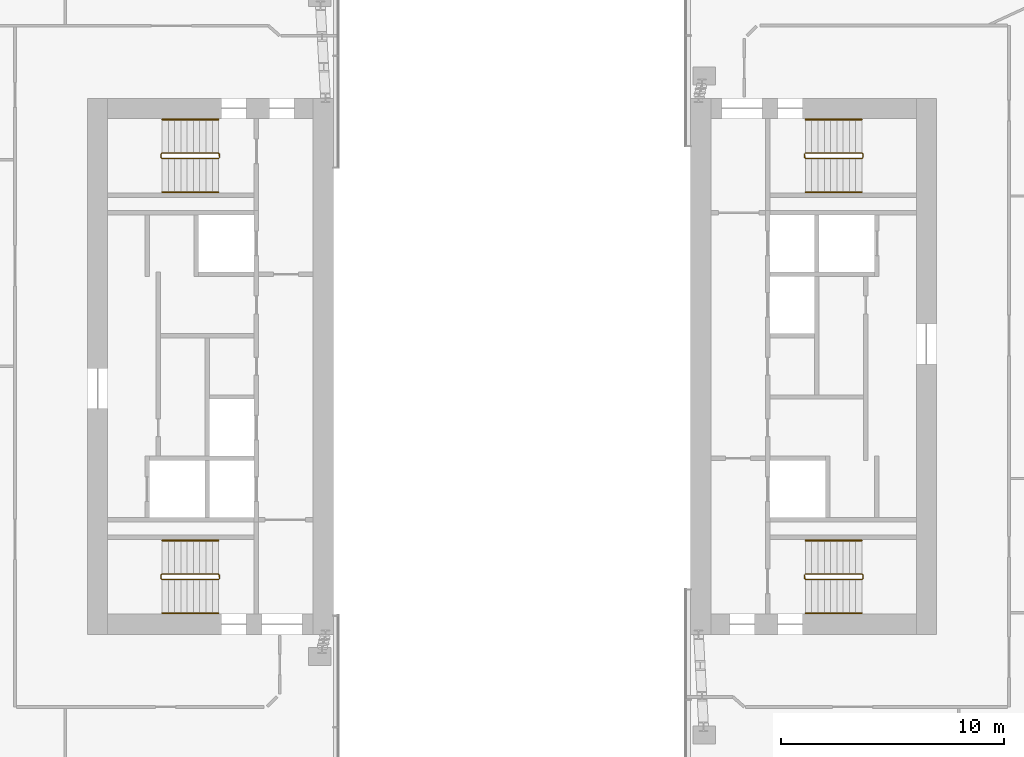
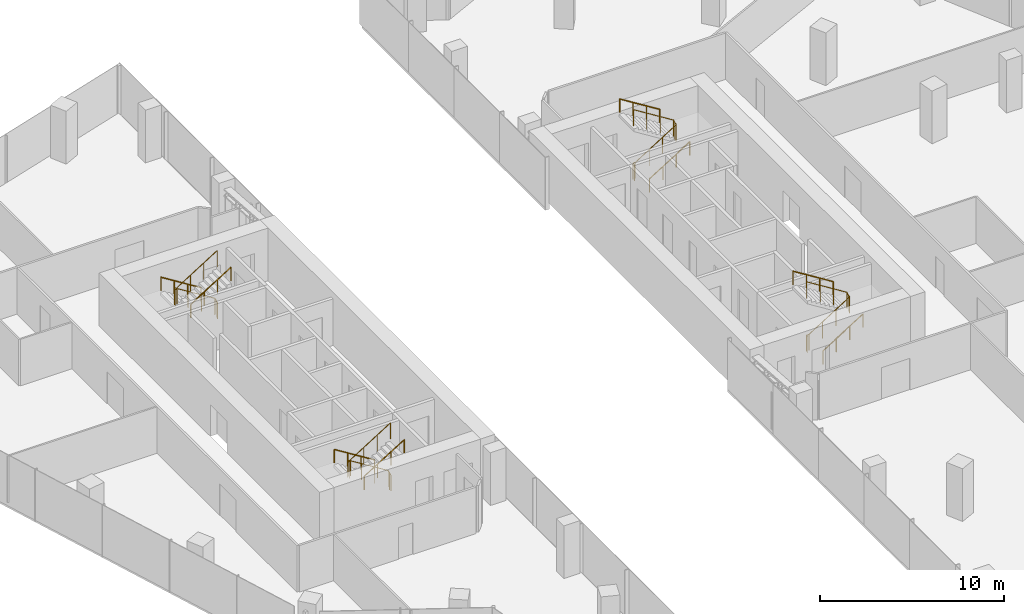
# One storey, part 22 of 23: 12 railings.
"""IFC4 building model written with IfcOpenShell, lengths in metres."""

from ifc_helpers import new_model, si_unit, direction, frame, origin, origin_2d, place, context, subcontext, project, spatial, circle, extrude, material, type_object, element, save


model = new_model("IFC4")

# Units and contexts
model_context = context("Model", 3, precision=1e-05, world=origin(), true_north=direction((0.0, 1.0)))
body_context = subcontext(model_context, "Body", "Model", "MODEL_VIEW")
ifc_project = project(units=[si_unit("LENGTHUNIT", "METRE"), si_unit("AREAUNIT", "SQUARE_METRE"), si_unit("VOLUMEUNIT", "CUBIC_METRE"), si_unit("PLANEANGLEUNIT", "RADIAN"), si_unit("MASSUNIT", "GRAM", prefix="KILO")], contexts=[model_context])

# Site, building, storey
site_placement = place(None, origin())
site = spatial("IfcSite", under=ifc_project, at=site_placement, CompositionType="ELEMENT")
building_placement = place(site_placement, origin())
building = spatial("IfcBuilding", under=site, at=building_placement, Name="Orlundy Tower", CompositionType="ELEMENT")
storey_placement = place(building_placement, frame((0.0, 0.0, 260.5)))
storey = spatial("IfcBuildingStorey", under=building, at=storey_placement, Name="L69", CompositionType="ELEMENT", Elevation=260.5)

# Railings
ifc_material_1 = material(Name="Steel balustrade", Category="steel")
railing_type_1 = type_object("IfcRailingType", Name="Stair Guard 1100", PredefinedType="GUARDRAIL", material=ifc_material_1)
railing_1_placement = place(storey_placement, frame((-13.090087890625, 9.5, 0.0)))
element("IfcRailing", 1, at=railing_1_placement, inside=storey, type_object=railing_type_1, Name="L69 ST-W1 stair guard 1", PredefinedType="GUARDRAIL", context=body_context, shape_type="SweptSolid", body=[
    extrude(circle(Radius=0.02392578125, at=origin_2d()), frame((0.0, 0.0, 1.076171875), z_axis=(0.0, -1.0, 0.0), x_axis=(1.0, 0.0, 0.0)), (0.0, 0.0, 1.0), 0.14990234375),
    extrude(circle(Radius=0.02392578125, at=origin_2d()), frame((0.0, -0.14990234375, 1.076171875), z_axis=(-0.18420542264, 0.739530593833, 0.647427882513), x_axis=(-0.970351222016, -0.241699205484, 0.0)), (0.0, 0.0, 1.0), 0.270263671875),
    extrude(circle(Radius=0.02392578125, at=origin_2d()), frame((-0.0498046875, 0.050048828125, 1.2509765625), z_axis=(-0.848007534815, 0.0, 0.529984170421), x_axis=(0.0, -1.0, 0.0)), (0.0, 0.0, 1.0), 2.9716796875),
    extrude(circle(Radius=0.02392578125, at=origin_2d()), frame((-2.56982421875, 0.050048828125, 2.826171875), z_axis=(-0.707106781187, -0.707106781187, 0.0), x_axis=(0.707106781187, -0.707106781187, 0.0)), (0.0, 0.0, 1.0), 0.07080078125),
    extrude(circle(Radius=0.02392578125, at=origin_2d()), frame((-2.619873046875, 0.0, 2.826171875), z_axis=(0.0, -1.0, 0.0), x_axis=(1.0, 0.0, 0.0)), (0.0, 0.0, 1.0), 0.14990234375),
    extrude(circle(Radius=0.02392578125, at=origin_2d()), frame((-2.619873046875, -0.14990234375, 2.826171875), z_axis=(0.265065253269, -0.265065253269, 0.927081885822), x_axis=(0.707106781187, 0.707106781187, 0.0)), (0.0, 0.0, 1.0), 0.188720703125),
    extrude(circle(Radius=0.02392578125, at=origin_2d()), frame((-2.56982421875, -0.199951171875, 3.0009765625), z_axis=(0.848007534815, 0.0, 0.529984170421), x_axis=(0.0, 1.0, 0.0)), (0.0, 0.0, 1.0), 2.9716796875),
    extrude(circle(Radius=0.02099609375, at=origin_2d()), origin(), (0.0, 0.0, 1.0), 1.052001953125),
    extrude(circle(Radius=0.02099609375, at=origin_2d()), frame((0.0, -0.14990234375, 0.0)), (0.0, 0.0, 1.0), 1.052001953125),
    extrude(circle(Radius=0.02099609375, at=origin_2d()), frame((-0.0498046875, 0.050048828125, 0.175048828125)), (0.0, 0.0, 1.0), 1.052001953125),
    extrude(circle(Radius=0.02099609375, at=origin_2d()), frame((-0.889892578125, 0.050048828125, 0.699951171875)), (0.0, 0.0, 1.0), 1.052001953125),
    extrude(circle(Radius=0.02099609375, at=origin_2d()), frame((-1.729736328125, 0.050048828125, 1.22509765625)), (0.0, 0.0, 1.0), 1.052001953125),
    extrude(circle(Radius=0.02099609375, at=origin_2d()), frame((-2.56982421875, 0.050048828125, 1.75)), (0.0, 0.0, 1.0), 1.052001953125),
    extrude(circle(Radius=0.02099609375, at=origin_2d()), frame((-2.619873046875, 0.0, 1.75)), (0.0, 0.0, 1.0), 1.052001953125),
    extrude(circle(Radius=0.02099609375, at=origin_2d()), frame((-2.619873046875, -0.14990234375, 1.75)), (0.0, 0.0, 1.0), 1.052001953125),
    extrude(circle(Radius=0.02099609375, at=origin_2d()), frame((-2.56982421875, -0.199951171875, 1.925048828125)), (0.0, 0.0, 1.0), 1.052001953125),
    extrude(circle(Radius=0.02099609375, at=origin_2d()), frame((-1.729736328125, -0.199951171875, 2.449951171875)), (0.0, 0.0, 1.0), 1.052001953125),
    extrude(circle(Radius=0.02099609375, at=origin_2d()), frame((-0.889892578125, -0.199951171875, 2.97509765625)), (0.0, 0.0, 1.0), 1.052001953125),
    extrude(circle(Radius=0.02099609375, at=origin_2d()), frame((-0.0498046875, -0.199951171875, 3.5)), (0.0, 0.0, 1.0), 1.052001953125),
])
railing_2_placement = place(storey_placement, frame((-13.090087890625, -9.35009765625, 0.0)))
element("IfcRailing", 2, at=railing_2_placement, inside=storey, type_object=railing_type_1, Name="L69 ST-W2 stair guard 1", PredefinedType="GUARDRAIL", context=body_context, shape_type="SweptSolid", body=[
    extrude(circle(Radius=0.02392578125, at=origin_2d()), frame((0.0, 0.0, 1.076171875), z_axis=(0.0, -1.0, 0.0), x_axis=(1.0, 0.0, 0.0)), (0.0, 0.0, 1.0), 0.14990234375),
    extrude(circle(Radius=0.02392578125, at=origin_2d()), frame((0.0, -0.14990234375, 1.076171875), z_axis=(-0.18420542264, 0.739530593833, 0.647427882513), x_axis=(-0.970351222016, -0.241699205484, 0.0)), (0.0, 0.0, 1.0), 0.270263671875),
    extrude(circle(Radius=0.02392578125, at=origin_2d()), frame((-0.0498046875, 0.050048828125, 1.2509765625), z_axis=(-0.848007534815, 0.0, 0.529984170421), x_axis=(0.0, -1.0, 0.0)), (0.0, 0.0, 1.0), 2.9716796875),
    extrude(circle(Radius=0.02392578125, at=origin_2d()), frame((-2.56982421875, 0.050048828125, 2.826171875), z_axis=(-0.707106781187, -0.707106781187, 0.0), x_axis=(0.707106781187, -0.707106781187, 0.0)), (0.0, 0.0, 1.0), 0.07080078125),
    extrude(circle(Radius=0.02392578125, at=origin_2d()), frame((-2.619873046875, 0.0, 2.826171875), z_axis=(0.0, -1.0, 0.0), x_axis=(1.0, 0.0, 0.0)), (0.0, 0.0, 1.0), 0.14990234375),
    extrude(circle(Radius=0.02392578125, at=origin_2d()), frame((-2.619873046875, -0.14990234375, 2.826171875), z_axis=(0.265065253269, -0.265065253269, 0.927081885822), x_axis=(0.707106781187, 0.707106781187, 0.0)), (0.0, 0.0, 1.0), 0.188720703125),
    extrude(circle(Radius=0.02392578125, at=origin_2d()), frame((-2.56982421875, -0.199951171875, 3.0009765625), z_axis=(0.848007534815, 0.0, 0.529984170421), x_axis=(0.0, 1.0, 0.0)), (0.0, 0.0, 1.0), 2.9716796875),
    extrude(circle(Radius=0.02099609375, at=origin_2d()), origin(), (0.0, 0.0, 1.0), 1.052001953125),
    extrude(circle(Radius=0.02099609375, at=origin_2d()), frame((0.0, -0.14990234375, 0.0)), (0.0, 0.0, 1.0), 1.052001953125),
    extrude(circle(Radius=0.02099609375, at=origin_2d()), frame((-0.0498046875, 0.050048828125, 0.175048828125)), (0.0, 0.0, 1.0), 1.052001953125),
    extrude(circle(Radius=0.02099609375, at=origin_2d()), frame((-0.889892578125, 0.050048828125, 0.699951171875)), (0.0, 0.0, 1.0), 1.052001953125),
    extrude(circle(Radius=0.02099609375, at=origin_2d()), frame((-1.729736328125, 0.050048828125, 1.22509765625)), (0.0, 0.0, 1.0), 1.052001953125),
    extrude(circle(Radius=0.02099609375, at=origin_2d()), frame((-2.56982421875, 0.050048828125, 1.75)), (0.0, 0.0, 1.0), 1.052001953125),
    extrude(circle(Radius=0.02099609375, at=origin_2d()), frame((-2.619873046875, 0.0, 1.75)), (0.0, 0.0, 1.0), 1.052001953125),
    extrude(circle(Radius=0.02099609375, at=origin_2d()), frame((-2.619873046875, -0.14990234375, 1.75)), (0.0, 0.0, 1.0), 1.052001953125),
    extrude(circle(Radius=0.02099609375, at=origin_2d()), frame((-2.56982421875, -0.199951171875, 1.925048828125)), (0.0, 0.0, 1.0), 1.052001953125),
    extrude(circle(Radius=0.02099609375, at=origin_2d()), frame((-1.729736328125, -0.199951171875, 2.449951171875)), (0.0, 0.0, 1.0), 1.052001953125),
    extrude(circle(Radius=0.02099609375, at=origin_2d()), frame((-0.889892578125, -0.199951171875, 2.97509765625)), (0.0, 0.0, 1.0), 1.052001953125),
    extrude(circle(Radius=0.02099609375, at=origin_2d()), frame((-0.0498046875, -0.199951171875, 3.5)), (0.0, 0.0, 1.0), 1.052001953125),
])
railing_3_placement = place(storey_placement, frame((13.090087890625, -9.5, 0.0)))
element("IfcRailing", 3, at=railing_3_placement, inside=storey, type_object=railing_type_1, Name="L69 ST-E1 stair guard 1", PredefinedType="GUARDRAIL", context=body_context, shape_type="SweptSolid", body=[
    extrude(circle(Radius=0.02392578125, at=origin_2d()), frame((0.0, 0.0, 1.076171875), z_axis=(0.0, 1.0, 0.0), x_axis=(-1.0, 0.0, 0.0)), (0.0, 0.0, 1.0), 0.14990234375),
    extrude(circle(Radius=0.02392578125, at=origin_2d()), frame((0.0, 0.14990234375, 1.076171875), z_axis=(0.18420542264, -0.739530593833, 0.647427882513), x_axis=(0.970351222016, 0.241699205484, 0.0)), (0.0, 0.0, 1.0), 0.270263671875),
    extrude(circle(Radius=0.02392578125, at=origin_2d()), frame((0.0498046875, -0.050048828125, 1.2509765625), z_axis=(0.848007534815, 0.0, 0.529984170421), x_axis=(0.0, 1.0, 0.0)), (0.0, 0.0, 1.0), 2.9716796875),
    extrude(circle(Radius=0.02392578125, at=origin_2d()), frame((2.56982421875, -0.050048828125, 2.826171875), z_axis=(0.707106781187, 0.707106781187, 0.0), x_axis=(-0.707106781187, 0.707106781187, 0.0)), (0.0, 0.0, 1.0), 0.07080078125),
    extrude(circle(Radius=0.02392578125, at=origin_2d()), frame((2.619873046875, 0.0, 2.826171875), z_axis=(0.0, 1.0, 0.0), x_axis=(-1.0, 0.0, 0.0)), (0.0, 0.0, 1.0), 0.14990234375),
    extrude(circle(Radius=0.02392578125, at=origin_2d()), frame((2.619873046875, 0.14990234375, 2.826171875), z_axis=(-0.265065253269, 0.265065253269, 0.927081885822), x_axis=(-0.707106781187, -0.707106781187, 0.0)), (0.0, 0.0, 1.0), 0.188720703125),
    extrude(circle(Radius=0.02392578125, at=origin_2d()), frame((2.56982421875, 0.199951171875, 3.0009765625), z_axis=(-0.848007534815, 0.0, 0.529984170421), x_axis=(0.0, -1.0, 0.0)), (0.0, 0.0, 1.0), 2.9716796875),
    extrude(circle(Radius=0.02099609375, at=origin_2d()), origin(), (0.0, 0.0, 1.0), 1.052001953125),
    extrude(circle(Radius=0.02099609375, at=origin_2d()), frame((0.0, 0.14990234375, 0.0)), (0.0, 0.0, 1.0), 1.052001953125),
    extrude(circle(Radius=0.02099609375, at=origin_2d()), frame((0.0498046875, -0.050048828125, 0.175048828125)), (0.0, 0.0, 1.0), 1.052001953125),
    extrude(circle(Radius=0.02099609375, at=origin_2d()), frame((0.889892578125, -0.050048828125, 0.699951171875)), (0.0, 0.0, 1.0), 1.052001953125),
    extrude(circle(Radius=0.02099609375, at=origin_2d()), frame((1.729736328125, -0.050048828125, 1.22509765625)), (0.0, 0.0, 1.0), 1.052001953125),
    extrude(circle(Radius=0.02099609375, at=origin_2d()), frame((2.56982421875, -0.050048828125, 1.75)), (0.0, 0.0, 1.0), 1.052001953125),
    extrude(circle(Radius=0.02099609375, at=origin_2d()), frame((2.619873046875, 0.0, 1.75)), (0.0, 0.0, 1.0), 1.052001953125),
    extrude(circle(Radius=0.02099609375, at=origin_2d()), frame((2.619873046875, 0.14990234375, 1.75)), (0.0, 0.0, 1.0), 1.052001953125),
    extrude(circle(Radius=0.02099609375, at=origin_2d()), frame((2.56982421875, 0.199951171875, 1.925048828125)), (0.0, 0.0, 1.0), 1.052001953125),
    extrude(circle(Radius=0.02099609375, at=origin_2d()), frame((1.729736328125, 0.199951171875, 2.449951171875)), (0.0, 0.0, 1.0), 1.052001953125),
    extrude(circle(Radius=0.02099609375, at=origin_2d()), frame((0.889892578125, 0.199951171875, 2.97509765625)), (0.0, 0.0, 1.0), 1.052001953125),
    extrude(circle(Radius=0.02099609375, at=origin_2d()), frame((0.0498046875, 0.199951171875, 3.5)), (0.0, 0.0, 1.0), 1.052001953125),
])
railing_4_placement = place(storey_placement, frame((13.090087890625, 9.35009765625, 0.0)))
element("IfcRailing", 4, at=railing_4_placement, inside=storey, type_object=railing_type_1, Name="L69 ST-E2 stair guard 1", PredefinedType="GUARDRAIL", context=body_context, shape_type="SweptSolid", body=[
    extrude(circle(Radius=0.02392578125, at=origin_2d()), frame((0.0, 0.0, 1.076171875), z_axis=(0.0, 1.0, 0.0), x_axis=(-1.0, 0.0, 0.0)), (0.0, 0.0, 1.0), 0.14990234375),
    extrude(circle(Radius=0.02392578125, at=origin_2d()), frame((0.0, 0.14990234375, 1.076171875), z_axis=(0.18420542264, -0.739530593833, 0.647427882513), x_axis=(0.970351222016, 0.241699205484, 0.0)), (0.0, 0.0, 1.0), 0.270263671875),
    extrude(circle(Radius=0.02392578125, at=origin_2d()), frame((0.0498046875, -0.050048828125, 1.2509765625), z_axis=(0.848007534815, 0.0, 0.529984170421), x_axis=(0.0, 1.0, 0.0)), (0.0, 0.0, 1.0), 2.9716796875),
    extrude(circle(Radius=0.02392578125, at=origin_2d()), frame((2.56982421875, -0.050048828125, 2.826171875), z_axis=(0.707106781187, 0.707106781187, 0.0), x_axis=(-0.707106781187, 0.707106781187, 0.0)), (0.0, 0.0, 1.0), 0.07080078125),
    extrude(circle(Radius=0.02392578125, at=origin_2d()), frame((2.619873046875, 0.0, 2.826171875), z_axis=(0.0, 1.0, 0.0), x_axis=(-1.0, 0.0, 0.0)), (0.0, 0.0, 1.0), 0.14990234375),
    extrude(circle(Radius=0.02392578125, at=origin_2d()), frame((2.619873046875, 0.14990234375, 2.826171875), z_axis=(-0.265065253269, 0.265065253269, 0.927081885822), x_axis=(-0.707106781187, -0.707106781187, 0.0)), (0.0, 0.0, 1.0), 0.188720703125),
    extrude(circle(Radius=0.02392578125, at=origin_2d()), frame((2.56982421875, 0.199951171875, 3.0009765625), z_axis=(-0.848007534815, 0.0, 0.529984170421), x_axis=(0.0, -1.0, 0.0)), (0.0, 0.0, 1.0), 2.9716796875),
    extrude(circle(Radius=0.02099609375, at=origin_2d()), origin(), (0.0, 0.0, 1.0), 1.052001953125),
    extrude(circle(Radius=0.02099609375, at=origin_2d()), frame((0.0, 0.14990234375, 0.0)), (0.0, 0.0, 1.0), 1.052001953125),
    extrude(circle(Radius=0.02099609375, at=origin_2d()), frame((0.0498046875, -0.050048828125, 0.175048828125)), (0.0, 0.0, 1.0), 1.052001953125),
    extrude(circle(Radius=0.02099609375, at=origin_2d()), frame((0.889892578125, -0.050048828125, 0.699951171875)), (0.0, 0.0, 1.0), 1.052001953125),
    extrude(circle(Radius=0.02099609375, at=origin_2d()), frame((1.729736328125, -0.050048828125, 1.22509765625)), (0.0, 0.0, 1.0), 1.052001953125),
    extrude(circle(Radius=0.02099609375, at=origin_2d()), frame((2.56982421875, -0.050048828125, 1.75)), (0.0, 0.0, 1.0), 1.052001953125),
    extrude(circle(Radius=0.02099609375, at=origin_2d()), frame((2.619873046875, 0.0, 1.75)), (0.0, 0.0, 1.0), 1.052001953125),
    extrude(circle(Radius=0.02099609375, at=origin_2d()), frame((2.619873046875, 0.14990234375, 1.75)), (0.0, 0.0, 1.0), 1.052001953125),
    extrude(circle(Radius=0.02099609375, at=origin_2d()), frame((2.56982421875, 0.199951171875, 1.925048828125)), (0.0, 0.0, 1.0), 1.052001953125),
    extrude(circle(Radius=0.02099609375, at=origin_2d()), frame((1.729736328125, 0.199951171875, 2.449951171875)), (0.0, 0.0, 1.0), 1.052001953125),
    extrude(circle(Radius=0.02099609375, at=origin_2d()), frame((0.889892578125, 0.199951171875, 2.97509765625)), (0.0, 0.0, 1.0), 1.052001953125),
    extrude(circle(Radius=0.02099609375, at=origin_2d()), frame((0.0498046875, 0.199951171875, 3.5)), (0.0, 0.0, 1.0), 1.052001953125),
])
ifc_material_2 = material(Name="Steel handrail", Category="steel")
railing_type_2 = type_object("IfcRailingType", Name="Stair Handrail 900", PredefinedType="HANDRAIL", material=ifc_material_2)
railing_5_placement = place(storey_placement, frame((-13.139892578125, 11.050048828125, 0.175048828125)))
element("IfcRailing", 5, at=railing_5_placement, inside=storey, type_object=railing_type_2, Name="L69 ST-W1 stair handrail 1", PredefinedType="HANDRAIL", context=body_context, shape_type="SweptSolid", body=[
    extrude(circle(Radius=0.02392578125, at=origin_2d()), frame((0.0, 0.0, 0.8759765625), z_axis=(-0.848007534815, 0.0, 0.529984170421), x_axis=(0.0, -1.0, 0.0)), (0.0, 0.0, 1.0), 2.9716796875),
    extrude(circle(Radius=0.02099609375, at=origin_2d()), origin(), (0.0, 0.0, 1.0), 0.851806640625),
    extrude(circle(Radius=0.02099609375, at=origin_2d()), frame((-0.840087890625, 0.0, 0.52490234375)), (0.0, 0.0, 1.0), 0.851806640625),
    extrude(circle(Radius=0.02099609375, at=origin_2d()), frame((-1.679931640625, 0.0, 1.050048828125)), (0.0, 0.0, 1.0), 0.851806640625),
    extrude(circle(Radius=0.02099609375, at=origin_2d()), frame((-2.52001953125, 0.0, 1.574951171875)), (0.0, 0.0, 1.0), 0.851806640625),
])
railing_6_placement = place(storey_placement, frame((-15.659912109375, 7.800048828125, 1.925048828125)))
element("IfcRailing", 6, at=railing_6_placement, inside=storey, type_object=railing_type_2, Name="L69 ST-W1 stair handrail 2", PredefinedType="HANDRAIL", context=body_context, shape_type="SweptSolid", body=[
    extrude(circle(Radius=0.02392578125, at=origin_2d()), frame((0.0, 0.0, 0.8759765625), z_axis=(0.848007534815, 0.0, 0.529984170421), x_axis=(0.0, 1.0, 0.0)), (0.0, 0.0, 1.0), 2.9716796875),
    extrude(circle(Radius=0.02099609375, at=origin_2d()), origin(), (0.0, 0.0, 1.0), 0.851806640625),
    extrude(circle(Radius=0.02099609375, at=origin_2d()), frame((0.840087890625, 0.0, 0.52490234375)), (0.0, 0.0, 1.0), 0.851806640625),
    extrude(circle(Radius=0.02099609375, at=origin_2d()), frame((1.679931640625, 0.0, 1.050048828125)), (0.0, 0.0, 1.0), 0.851806640625),
    extrude(circle(Radius=0.02099609375, at=origin_2d()), frame((2.52001953125, 0.0, 1.574951171875)), (0.0, 0.0, 1.0), 0.851806640625),
])
railing_7_placement = place(storey_placement, frame((-13.139892578125, -7.800048828125, 0.175048828125)))
element("IfcRailing", 7, at=railing_7_placement, inside=storey, type_object=railing_type_2, Name="L69 ST-W2 stair handrail 1", PredefinedType="HANDRAIL", context=body_context, shape_type="SweptSolid", body=[
    extrude(circle(Radius=0.02392578125, at=origin_2d()), frame((0.0, 0.0, 0.8759765625), z_axis=(-0.848007534815, 0.0, 0.529984170421), x_axis=(0.0, -1.0, 0.0)), (0.0, 0.0, 1.0), 2.9716796875),
    extrude(circle(Radius=0.02099609375, at=origin_2d()), origin(), (0.0, 0.0, 1.0), 0.851806640625),
    extrude(circle(Radius=0.02099609375, at=origin_2d()), frame((-0.840087890625, 0.0, 0.52490234375)), (0.0, 0.0, 1.0), 0.851806640625),
    extrude(circle(Radius=0.02099609375, at=origin_2d()), frame((-1.679931640625, 0.0, 1.050048828125)), (0.0, 0.0, 1.0), 0.851806640625),
    extrude(circle(Radius=0.02099609375, at=origin_2d()), frame((-2.52001953125, 0.0, 1.574951171875)), (0.0, 0.0, 1.0), 0.851806640625),
])
for number, where, name in (
    (8, (-15.659912109375, -11.050048828125, 1.925048828125), "L69 ST-W2 stair handrail 2"),
    (9, (13.139892578125, -11.050048828125, 0.175048828125), "L69 ST-E1 stair handrail 1"),
):
    element("IfcRailing", number, at=place(storey_placement, frame(where)), inside=storey, type_object=railing_type_2, Name=name, PredefinedType="HANDRAIL", context=body_context, shape_type="SweptSolid", body=[
        extrude(circle(Radius=0.02392578125, at=origin_2d()), frame((0.0, 0.0, 0.8759765625), z_axis=(0.848007534815, 0.0, 0.529984170421), x_axis=(0.0, 1.0, 0.0)), (0.0, 0.0, 1.0), 2.9716796875),
        extrude(circle(Radius=0.02099609375, at=origin_2d()), origin(), (0.0, 0.0, 1.0), 0.851806640625),
        extrude(circle(Radius=0.02099609375, at=origin_2d()), frame((0.840087890625, 0.0, 0.52490234375)), (0.0, 0.0, 1.0), 0.851806640625),
        extrude(circle(Radius=0.02099609375, at=origin_2d()), frame((1.679931640625, 0.0, 1.050048828125)), (0.0, 0.0, 1.0), 0.851806640625),
        extrude(circle(Radius=0.02099609375, at=origin_2d()), frame((2.52001953125, 0.0, 1.574951171875)), (0.0, 0.0, 1.0), 0.851806640625),
    ])
railing_8_placement = place(storey_placement, frame((15.659912109375, -7.800048828125, 1.925048828125)))
element("IfcRailing", 10, at=railing_8_placement, inside=storey, type_object=railing_type_2, Name="L69 ST-E1 stair handrail 2", PredefinedType="HANDRAIL", context=body_context, shape_type="SweptSolid", body=[
    extrude(circle(Radius=0.02392578125, at=origin_2d()), frame((0.0, 0.0, 0.8759765625), z_axis=(-0.848007534815, 0.0, 0.529984170421), x_axis=(0.0, -1.0, 0.0)), (0.0, 0.0, 1.0), 2.9716796875),
    extrude(circle(Radius=0.02099609375, at=origin_2d()), origin(), (0.0, 0.0, 1.0), 0.851806640625),
    extrude(circle(Radius=0.02099609375, at=origin_2d()), frame((-0.840087890625, 0.0, 0.52490234375)), (0.0, 0.0, 1.0), 0.851806640625),
    extrude(circle(Radius=0.02099609375, at=origin_2d()), frame((-1.679931640625, 0.0, 1.050048828125)), (0.0, 0.0, 1.0), 0.851806640625),
    extrude(circle(Radius=0.02099609375, at=origin_2d()), frame((-2.52001953125, 0.0, 1.574951171875)), (0.0, 0.0, 1.0), 0.851806640625),
])
railing_9_placement = place(storey_placement, frame((13.139892578125, 7.800048828125, 0.175048828125)))
element("IfcRailing", 11, at=railing_9_placement, inside=storey, type_object=railing_type_2, Name="L69 ST-E2 stair handrail 1", PredefinedType="HANDRAIL", context=body_context, shape_type="SweptSolid", body=[
    extrude(circle(Radius=0.02392578125, at=origin_2d()), frame((0.0, 0.0, 0.8759765625), z_axis=(0.848007534815, 0.0, 0.529984170421), x_axis=(0.0, 1.0, 0.0)), (0.0, 0.0, 1.0), 2.9716796875),
    extrude(circle(Radius=0.02099609375, at=origin_2d()), origin(), (0.0, 0.0, 1.0), 0.851806640625),
    extrude(circle(Radius=0.02099609375, at=origin_2d()), frame((0.840087890625, 0.0, 0.52490234375)), (0.0, 0.0, 1.0), 0.851806640625),
    extrude(circle(Radius=0.02099609375, at=origin_2d()), frame((1.679931640625, 0.0, 1.050048828125)), (0.0, 0.0, 1.0), 0.851806640625),
    extrude(circle(Radius=0.02099609375, at=origin_2d()), frame((2.52001953125, 0.0, 1.574951171875)), (0.0, 0.0, 1.0), 0.851806640625),
])
railing_10_placement = place(storey_placement, frame((15.659912109375, 11.050048828125, 1.925048828125)))
element("IfcRailing", 12, at=railing_10_placement, inside=storey, type_object=railing_type_2, Name="L69 ST-E2 stair handrail 2", PredefinedType="HANDRAIL", context=body_context, shape_type="SweptSolid", body=[
    extrude(circle(Radius=0.02392578125, at=origin_2d()), frame((0.0, 0.0, 0.8759765625), z_axis=(-0.848007534815, 0.0, 0.529984170421), x_axis=(0.0, -1.0, 0.0)), (0.0, 0.0, 1.0), 2.9716796875),
    extrude(circle(Radius=0.02099609375, at=origin_2d()), origin(), (0.0, 0.0, 1.0), 0.851806640625),
    extrude(circle(Radius=0.02099609375, at=origin_2d()), frame((-0.840087890625, 0.0, 0.52490234375)), (0.0, 0.0, 1.0), 0.851806640625),
    extrude(circle(Radius=0.02099609375, at=origin_2d()), frame((-1.679931640625, 0.0, 1.050048828125)), (0.0, 0.0, 1.0), 0.851806640625),
    extrude(circle(Radius=0.02099609375, at=origin_2d()), frame((-2.52001953125, 0.0, 1.574951171875)), (0.0, 0.0, 1.0), 0.851806640625),
])

save(model, "model.ifc")
